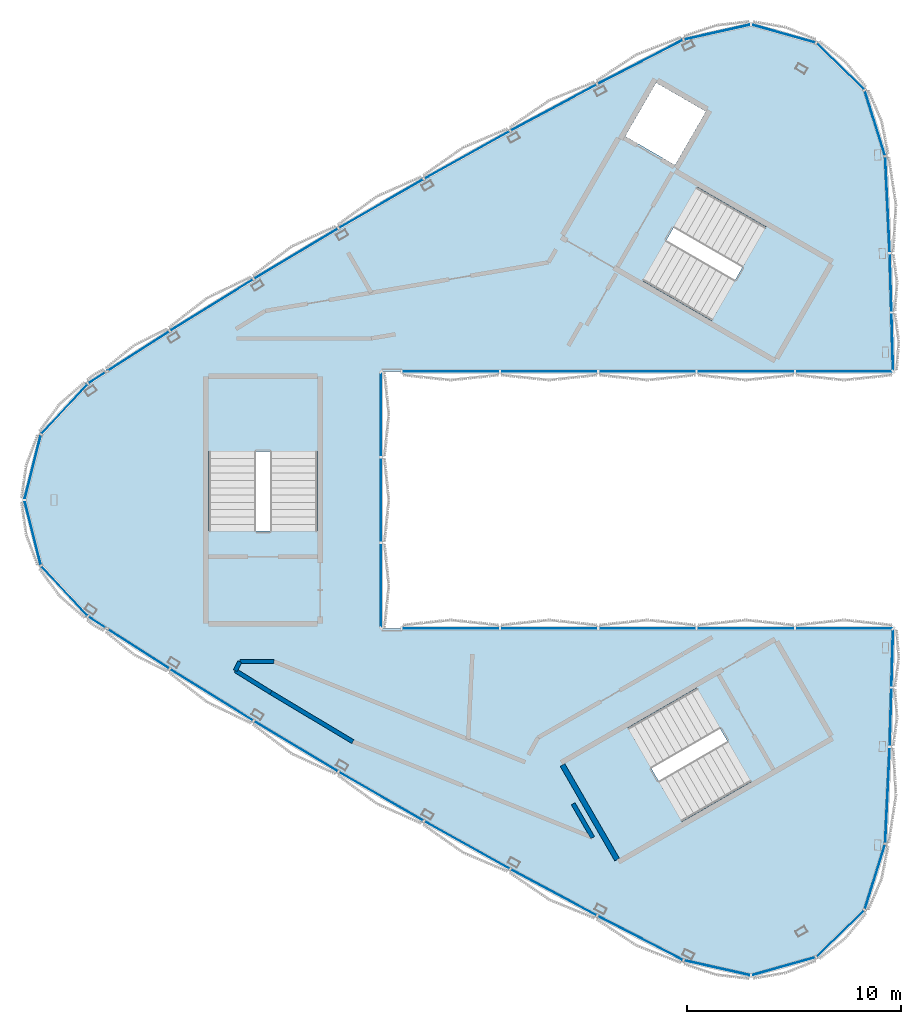
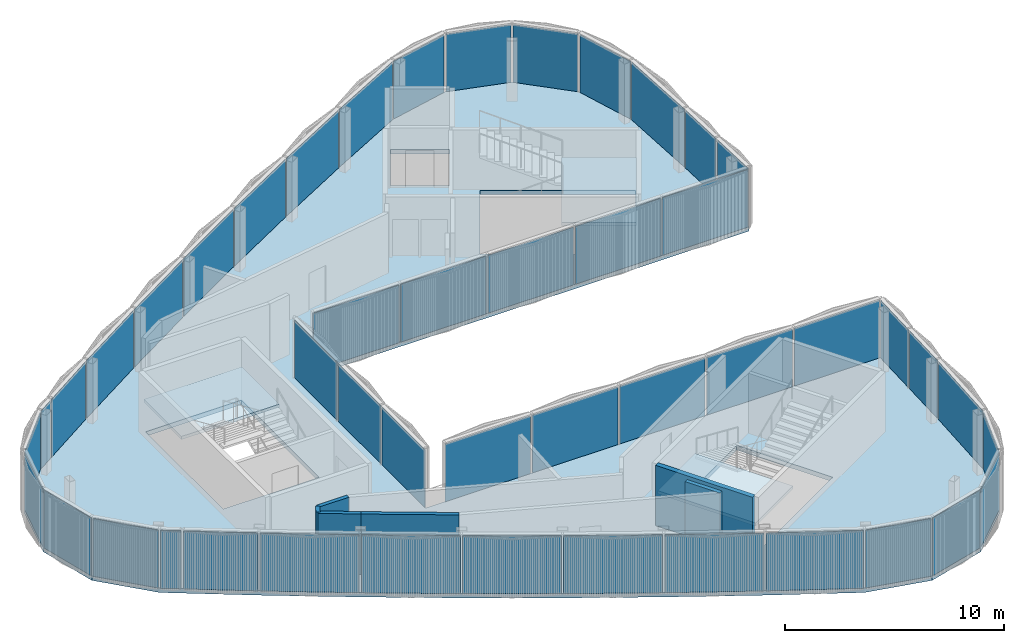
# One storey, part 5 of 16: 47 plates, 6 walls, 4 slabs, 6 elements without a shape of their own.
"""IFC4 building model written with IfcOpenShell, lengths in metres."""

from ifc_helpers import new_model, si_unit, direction, frame, frame_2d, origin, origin_2d, place, context, subcontext, project, spatial, polyline, rectangle, outline, extrude, material, layer, layer_set, type_object, element, aggregate, save


model = new_model("IFC4")

# Units and contexts
model_context = context("Model", 3, precision=1e-05, world=origin(), true_north=direction((0.0, 1.0)))
body_context = subcontext(model_context, "Body", "Model", "MODEL_VIEW")
ifc_project = project(units=[si_unit("LENGTHUNIT", "METRE"), si_unit("AREAUNIT", "SQUARE_METRE"), si_unit("VOLUMEUNIT", "CUBIC_METRE"), si_unit("PLANEANGLEUNIT", "RADIAN"), si_unit("MASSUNIT", "GRAM", prefix="KILO")], contexts=[model_context])

# Site, building, storey
site_placement = place(None, origin())
site = spatial("IfcSite", under=ifc_project, at=site_placement, CompositionType="ELEMENT")
building_placement = place(site_placement, origin())
building = spatial("IfcBuilding", under=site, at=building_placement, Name="Tamra Quay Hotel Tower", CompositionType="ELEMENT")
storey_placement = place(building_placement, frame((0.0, 0.0, 324.199951171875)))
storey = spatial("IfcBuildingStorey", under=building, at=storey_placement, Name="Roof crown 2", CompositionType="ELEMENT", Elevation=324.199951171875)

# Stair, slab
ifc_material_1 = material(Name="Exit stair 2200 24 risers 150.0 going 342")
stair_type = type_object("IfcStairType", Name="Exit stair 2200 24 risers 150.0 going 342", PredefinedType="HALF_TURN_STAIR", material=ifc_material_1)
stair_1_placement = place(storey_placement, origin())
stair_1 = element("IfcStair", 1, at=stair_1_placement, inside=storey, type_object=stair_type, Name="Roof crown 2 Exit stair ST3", PredefinedType="HALF_TURN_STAIR")
ifc_material_2 = material(Name="Concrete M70", Category="concrete")
ifc_layer_1 = layer(ifc_material_2, 0.175048828125)
ifc_layer_set_1 = layer_set([ifc_layer_1], Name="Concrete M70 stair landing 180")
slab_type_1 = type_object("IfcSlabType", Name="Concrete M70 stair landing 180", PredefinedType="LANDING", material=ifc_layer_set_1)
slab_1_placement = place(storey_placement, frame((0.0, 0.0, 1.625)))
slab_1 = element("IfcSlab", 2, at=slab_1_placement, type_object=slab_type_1, Name="ST3 landing 1", PredefinedType="LANDING", context=body_context, shape_type="SweptSolid", body=[
    extrude(outline(polyline([(-10.932373046875, 2.261962890625), (-10.932373046875, 5.679931640625), (-16.09130859375, 5.679931640625), (-16.09130859375, 2.261962890625), (-10.932373046875, 2.261962890625)])), origin(), (0.0, 0.0, 1.0), 0.175048828125),
])
aggregate(stair_1, [slab_1])

stair_2_placement = place(storey_placement, origin())
stair_2 = element("IfcStair", 3, at=stair_2_placement, inside=storey, type_object=stair_type, Name="Roof crown 2 Exit stair ST1", PredefinedType="HALF_TURN_STAIR")
slab_2_placement = place(storey_placement, frame((0.0, 0.0, 1.625)))
slab_2 = element("IfcSlab", 4, at=slab_2_placement, type_object=slab_type_1, Name="ST1 landing 1", PredefinedType="LANDING", context=body_context, shape_type="SweptSolid", body=[
    extrude(outline(polyline([(7.425048828125, 8.336669921875), (10.385009765625, 6.627685546875), (12.964599609375, 11.095458984375), (10.00439453125, 12.804443359375), (7.425048828125, 8.336669921875)])), origin(), (0.0, 0.0, 1.0), 0.175048828125),
])
aggregate(stair_2, [slab_2])

stair_3_placement = place(storey_placement, origin())
stair_3 = element("IfcStair", 5, at=stair_3_placement, inside=storey, type_object=stair_type, Name="Roof crown 2 Exit stair ST2", PredefinedType="HALF_TURN_STAIR")
slab_3_placement = place(storey_placement, frame((0.0, 0.0, 1.625)))
slab_3 = element("IfcSlab", 6, at=slab_3_placement, type_object=slab_type_1, Name="ST2 landing 1", PredefinedType="LANDING", context=body_context, shape_type="SweptSolid", body=[
    extrude(outline(polyline([(3.50732421875, -10.5986328125), (0.547119140625, -12.3076171875), (3.126708984375, -16.775390625), (6.086669921875, -15.06640625), (3.50732421875, -10.5986328125)])), origin(), (0.0, 0.0, 1.0), 0.175048828125),
])
aggregate(stair_3, [slab_3])

# Slab
ifc_material_3 = material(Name="Concrete M60", Category="concrete")
ifc_layer_2 = layer(ifc_material_3, 0.25)
ifc_layer_set_2 = layer_set([ifc_layer_2], Name="FLOOR SLAB PT 250")
slab_type_2 = type_object("IfcSlabType", Name="FLOOR SLAB PT 250", PredefinedType="FLOOR", material=ifc_layer_set_2)
slab_4_placement = place(storey_placement, frame((0.0, 0.0, -0.25)))
element("IfcSlab", 7, at=slab_4_placement, inside=storey, type_object=slab_type_2, Name="SLAB-Roofcrown2", PredefinedType="FLOOR", context=body_context, shape_type="SweptSolid", body=[
    extrude(outline(polyline([(15.555419921875, -16.063720703125), (14.5908203125, -19.149169921875), (12.3271484375, -21.351318359375), (9.288330078125, -22.21044921875), (6.134033203125, -21.503173828125), (2.10009765625, -19.419677734375), (-1.96435546875, -17.239501953125), (-5.99462890625, -14.995849609375), (-9.989501953125, -12.689453125), (-13.947509765625, -10.321044921875), (-17.867919921875, -7.89111328125), (-20.815673828125, -6.0), (-21.689208984375, -5.439453125), (-23.879150390625, -3.061279296875), (-24.654296875, 0.0), (-23.879150390625, 3.061279296875), (-21.689208984375, 5.439453125), (-20.815673828125, 6.0), (-17.867919921875, 7.89111328125), (-13.947509765625, 10.321044921875), (-9.989501953125, 12.689453125), (-5.99462890625, 14.995849609375), (-1.96435546875, 17.239501953125), (2.10009765625, 19.419677734375), (6.134033203125, 21.503173828125), (9.288330078125, 22.21044921875), (12.3271484375, 21.351318359375), (14.5908203125, 19.149169921875), (15.555419921875, 16.063720703125), (15.767822265625, 11.528564453125), (15.912109375, 6.91845703125), (15.926513671875, 6.0), (-8.0, 6.0), (-8.0, -6.0), (15.926513671875, -6.0), (15.912109375, -6.91845703125), (15.767822265625, -11.528564453125), (15.555419921875, -16.063720703125)]), holes=[polyline([(9.2783203125, -13.160400390625), (6.75390625, -8.78759765625), (0.622314453125, -12.32763671875), (3.146728515625, -16.7001953125), (9.2783203125, -13.160400390625)]), polyline([(-16.036376953125, -1.455078125), (-10.9873046875, -1.455078125), (-10.9873046875, 5.625), (-16.036376953125, 5.625), (-16.036376953125, -1.455078125)]), polyline([(6.758056640625, 14.615478515625), (4.2333984375, 10.242919921875), (10.364990234375, 6.702880859375), (12.889404296875, 11.075439453125), (6.758056640625, 14.615478515625)]), polyline([(4.8515625, 19.4931640625), (3.406494140625, 16.990234375), (5.736083984375, 15.645263671875), (7.18115234375, 18.148193359375), (4.8515625, 19.4931640625)])]), origin(), (0.0, 0.0, 1.0), 0.25),
])

# Curtain wall, plates
ifc_material_4 = material(Name="Aluminium 6063 anodised dark grey", Category="aluminium")
curtain_wall_type = type_object("IfcCurtainWallType", Name="CW6 CURTAIN WALL", PredefinedType="NOTDEFINED", material=ifc_material_4)
curtain_wall_1_placement = place(storey_placement, origin())
curtain_wall_1 = element("IfcCurtainWall", 8, at=curtain_wall_1_placement, inside=storey, type_object=curtain_wall_type, Name="CW6 lantern A face Roof crown 2", PredefinedType="NOTDEFINED")
ifc_material_5 = material(Name="Glass clear laminated low-iron", Category="glass")
ifc_layer_3 = layer(ifc_material_5, 0.030029296875)
ifc_layer_set_3 = layer_set([ifc_layer_3], Name="GLASS PANEL CW6")
plate_type = type_object("IfcPlateType", Name="GLASS PANEL CW6", PredefinedType="CURTAIN_PANEL", material=ifc_layer_set_3)
plate_1_placement = place(storey_placement, frame((15.66162109375, 13.796142578125, 0.0), z_axis=(0.0, 0.0, 1.0), x_axis=(-0.046821305973, 0.998903281257, 0.0)))
plate_1 = element("IfcPlate", 9, at=plate_1_placement, type_object=plate_type, Name="CW6 glass Roof crown 2.A.1", PredefinedType="CURTAIN_PANEL", context=body_context, shape_type="SweptSolid", body=[
    extrude(rectangle(XDim=4.440185546875, YDim=0.030029296875, at=origin_2d()), origin(), (0.0, 0.0, 1.0), 3.2099609375),
])
plate_2_placement = place(storey_placement, frame((15.072998046875, 17.6064453125, 0.0), z_axis=(0.0, 0.0, 1.0), x_axis=(-0.29839239288, 0.954443282689, 0.0)))
plate_2 = element("IfcPlate", 10, at=plate_2_placement, type_object=plate_type, Name="CW6 glass Roof crown 2.A.2", PredefinedType="CURTAIN_PANEL", context=body_context, shape_type="SweptSolid", body=[
    extrude(rectangle(XDim=3.132568359375, YDim=0.030029296875, at=origin_2d()), origin(), (0.0, 0.0, 1.0), 3.2099609375),
])
plate_3_placement = place(storey_placement, frame((13.458984375, 20.250244140625, 0.0), z_axis=(0.0, 0.0, 1.0), x_axis=(-0.716752699854, 0.69732744622, 0.0)))
plate_3 = element("IfcPlate", 11, at=plate_3_placement, type_object=plate_type, Name="CW6 glass Roof crown 2.A.3", PredefinedType="CURTAIN_PANEL", context=body_context, shape_type="SweptSolid", body=[
    extrude(rectangle(XDim=3.05810546875, YDim=0.030029296875, at=origin_2d()), origin(), (0.0, 0.0, 1.0), 3.2099609375),
])
plate_4_placement = place(storey_placement, frame((10.807861328125, 21.781005859375, 0.0), z_axis=(0.0, 0.0, 1.0), x_axis=(-0.96227963311, 0.272062323195, 0.0)))
plate_4 = element("IfcPlate", 12, at=plate_4_placement, type_object=plate_type, Name="CW6 glass Roof crown 2.A.4", PredefinedType="CURTAIN_PANEL", context=body_context, shape_type="SweptSolid", body=[
    extrude(rectangle(XDim=3.05810546875, YDim=0.030029296875, at=origin_2d()), origin(), (0.0, 0.0, 1.0), 3.2099609375),
])
plate_5_placement = place(storey_placement, frame((7.711181640625, 21.85693359375, 0.0), z_axis=(0.0, 0.0, 1.0), x_axis=(-0.975768325721, -0.218806248814, 0.0)))
plate_5 = element("IfcPlate", 13, at=plate_5_placement, type_object=plate_type, Name="CW6 glass Roof crown 2.A.5", PredefinedType="CURTAIN_PANEL", context=body_context, shape_type="SweptSolid", body=[
    extrude(rectangle(XDim=3.132568359375, YDim=0.030029296875, at=origin_2d()), origin(), (0.0, 0.0, 1.0), 3.2099609375),
])
plate_6_placement = place(storey_placement, frame((4.116943359375, 20.46142578125, 0.0), z_axis=(0.0, 0.0, 1.0), x_axis=(-0.888486270479, -0.458903200218, 0.0)))
plate_6 = element("IfcPlate", 14, at=plate_6_placement, type_object=plate_type, Name="CW6 glass Roof crown 2.A.6", PredefinedType="CURTAIN_PANEL", context=body_context, shape_type="SweptSolid", body=[
    extrude(rectangle(XDim=4.440185546875, YDim=0.030029296875, at=origin_2d()), origin(), (0.0, 0.0, 1.0), 3.2099609375),
])
plate_7_placement = place(storey_placement, frame((0.06787109375, 18.32958984375, 0.0), z_axis=(0.0, 0.0, 1.0), x_axis=(-0.881223582111, -0.472699691486, 0.0)))
plate_7 = element("IfcPlate", 15, at=plate_7_placement, type_object=plate_type, Name="CW6 glass Roof crown 2.A.7", PredefinedType="CURTAIN_PANEL", context=body_context, shape_type="SweptSolid", body=[
    extrude(rectangle(XDim=4.51220703125, YDim=0.030029296875, at=origin_2d()), origin(), (0.0, 0.0, 1.0), 3.2099609375),
])
plate_8_placement = place(storey_placement, frame((-3.9794921875, 16.11767578125, 0.0), z_axis=(0.0, 0.0, 1.0), x_axis=(-0.873735522847, -0.486401311794, 0.0)))
plate_8 = element("IfcPlate", 16, at=plate_8_placement, type_object=plate_type, Name="CW6 glass Roof crown 2.A.8", PredefinedType="CURTAIN_PANEL", context=body_context, shape_type="SweptSolid", body=[
    extrude(rectangle(XDim=4.5126953125, YDim=0.030029296875, at=origin_2d()), origin(), (0.0, 0.0, 1.0), 3.2099609375),
])
plate_9_placement = place(storey_placement, frame((-7.991943359375, 13.842529296875, 0.0), z_axis=(0.0, 0.0, 1.0), x_axis=(-0.866025403784, -0.5, 0.0)))
plate_9 = element("IfcPlate", 17, at=plate_9_placement, type_object=plate_type, Name="CW6 glass Roof crown 2.A.9", PredefinedType="CURTAIN_PANEL", context=body_context, shape_type="SweptSolid", body=[
    extrude(rectangle(XDim=4.5126953125, YDim=0.030029296875, at=origin_2d()), origin(), (0.0, 0.0, 1.0), 3.2099609375),
])
plate_10_placement = place(storey_placement, frame((-11.968505859375, 11.505126953125, 0.0), z_axis=(0.0, 0.0, 1.0), x_axis=(-0.858103653871, -0.513476503078, 0.0)))
plate_10 = element("IfcPlate", 18, at=plate_10_placement, type_object=plate_type, Name="CW6 glass Roof crown 2.A.10", PredefinedType="CURTAIN_PANEL", context=body_context, shape_type="SweptSolid", body=[
    extrude(rectangle(XDim=4.5126953125, YDim=0.030029296875, at=origin_2d()), origin(), (0.0, 0.0, 1.0), 3.2099609375),
])
plate_11_placement = place(storey_placement, frame((-15.90771484375, 9.10595703125, 0.0), z_axis=(0.0, 0.0, 1.0), x_axis=(-0.849981732244, -0.526812162779, 0.0)))
plate_11 = element("IfcPlate", 19, at=plate_11_placement, type_object=plate_type, Name="CW6 glass Roof crown 2.A.11", PredefinedType="CURTAIN_PANEL", context=body_context, shape_type="SweptSolid", body=[
    extrude(rectangle(XDim=4.51220703125, YDim=0.030029296875, at=origin_2d()), origin(), (0.0, 0.0, 1.0), 3.2099609375),
])
plate_12_placement = place(storey_placement, frame((-19.341796875, 6.945556640625, 0.0), z_axis=(0.0, 0.0, 1.0), x_axis=(-0.841664964506, -0.54000008104, 0.0)))
plate_12 = element("IfcPlate", 20, at=plate_12_placement, type_object=plate_type, Name="CW6 glass Roof crown 2.A.12", PredefinedType="CURTAIN_PANEL", context=body_context, shape_type="SweptSolid", body=[
    extrude(rectangle(XDim=3.402099609375, YDim=0.030029296875, at=origin_2d()), origin(), (0.0, 0.0, 1.0), 3.2099609375),
])
plate_13_placement = place(storey_placement, frame((-4.740966796875, 6.0, 0.0), z_axis=(0.0, 0.0, 1.0), x_axis=(1.0, 0.0, 0.0)))
plate_13 = element("IfcPlate", 21, at=plate_13_placement, type_object=plate_type, Name="CW6 glass Roof crown 2.A.13", PredefinedType="CURTAIN_PANEL", context=body_context, shape_type="SweptSolid", body=[
    extrude(rectangle(XDim=4.49267578125, YDim=0.030029296875, at=origin_2d()), origin(), (0.0, 0.0, 1.0), 3.2099609375),
])
plate_14_placement = place(storey_placement, frame((-0.148193359375, 6.0, 0.0), z_axis=(0.0, 0.0, 1.0), x_axis=(1.0, 0.0, 0.0)))
plate_14 = element("IfcPlate", 22, at=plate_14_placement, type_object=plate_type, Name="CW6 glass Roof crown 2.A.14", PredefinedType="CURTAIN_PANEL", context=body_context, shape_type="SweptSolid", body=[
    extrude(rectangle(XDim=4.49267578125, YDim=0.030029296875, at=origin_2d()), origin(), (0.0, 0.0, 1.0), 3.2099609375),
])
plate_15_placement = place(storey_placement, frame((4.444580078125, 6.0, 0.0), z_axis=(0.0, 0.0, 1.0), x_axis=(1.0, 0.0, 0.0)))
plate_15 = element("IfcPlate", 23, at=plate_15_placement, type_object=plate_type, Name="CW6 glass Roof crown 2.A.15", PredefinedType="CURTAIN_PANEL", context=body_context, shape_type="SweptSolid", body=[
    extrude(rectangle(XDim=4.49267578125, YDim=0.030029296875, at=origin_2d()), origin(), (0.0, 0.0, 1.0), 3.2099609375),
])
plate_16_placement = place(storey_placement, frame((9.037353515625, 6.0, 0.0), z_axis=(0.0, 0.0, 1.0), x_axis=(1.0, 0.0, 0.0)))
plate_16 = element("IfcPlate", 24, at=plate_16_placement, type_object=plate_type, Name="CW6 glass Roof crown 2.A.16", PredefinedType="CURTAIN_PANEL", context=body_context, shape_type="SweptSolid", body=[
    extrude(rectangle(XDim=4.49267578125, YDim=0.030029296875, at=origin_2d()), origin(), (0.0, 0.0, 1.0), 3.2099609375),
])
plate_17_placement = place(storey_placement, frame((13.6298828125, 6.0, 0.0), z_axis=(0.0, 0.0, 1.0), x_axis=(1.0, 0.0, 0.0)))
plate_17 = element("IfcPlate", 25, at=plate_17_placement, type_object=plate_type, Name="CW6 glass Roof crown 2.A.17", PredefinedType="CURTAIN_PANEL", context=body_context, shape_type="SweptSolid", body=[
    extrude(rectangle(XDim=4.49267578125, YDim=0.030029296875, at=origin_2d()), origin(), (0.0, 0.0, 1.0), 3.2099609375),
])
plate_18_placement = place(storey_placement, frame((15.88671875, 7.382080078125, 0.0), z_axis=(0.0, 0.0, 1.0), x_axis=(-0.028649831581, 0.999589509324, 0.0)))
plate_18 = element("IfcPlate", 26, at=plate_18_placement, type_object=plate_type, Name="CW6 glass Roof crown 2.A.18", PredefinedType="CURTAIN_PANEL", context=body_context, shape_type="SweptSolid", body=[
    extrude(rectangle(XDim=2.665283203125, YDim=0.030029296875, at=origin_2d()), origin(), (0.0, 0.0, 1.0), 3.2099609375),
])
plate_19_placement = place(storey_placement, frame((15.8076171875, 10.146484375, 0.0), z_axis=(0.0, 0.0, 1.0), x_axis=(-0.028649831581, 0.999589509324, 0.0)))
plate_19 = element("IfcPlate", 27, at=plate_19_placement, type_object=plate_type, Name="CW6 glass Roof crown 2.A.19", PredefinedType="CURTAIN_PANEL", context=body_context, shape_type="SweptSolid", body=[
    extrude(rectangle(XDim=2.665283203125, YDim=0.030029296875, at=origin_2d()), origin(), (0.0, 0.0, 1.0), 3.2099609375),
])
aggregate(curtain_wall_1, [plate_1, plate_2, plate_3, plate_4, plate_5, plate_6, plate_7, plate_8, plate_9, plate_10, plate_11, plate_12, plate_13, plate_14, plate_15, plate_16, plate_17, plate_18, plate_19])

curtain_wall_2_placement = place(storey_placement, origin())
curtain_wall_2 = element("IfcCurtainWall", 28, at=curtain_wall_2_placement, inside=storey, type_object=curtain_wall_type, Name="CW6 lantern B face Roof crown 2", PredefinedType="NOTDEFINED")
plate_20_placement = place(storey_placement, frame((13.6298828125, -6.0, 0.0), z_axis=(0.0, 0.0, 1.0), x_axis=(-1.0, 0.0, 0.0)))
plate_20 = element("IfcPlate", 29, at=plate_20_placement, type_object=plate_type, Name="CW6 glass Roof crown 2.B.1", PredefinedType="CURTAIN_PANEL", context=body_context, shape_type="SweptSolid", body=[
    extrude(rectangle(XDim=4.49267578125, YDim=0.030029296875, at=origin_2d()), origin(), (0.0, 0.0, 1.0), 3.2099609375),
])
plate_21_placement = place(storey_placement, frame((9.037353515625, -6.0, 0.0), z_axis=(0.0, 0.0, 1.0), x_axis=(-1.0, 0.0, 0.0)))
plate_21 = element("IfcPlate", 30, at=plate_21_placement, type_object=plate_type, Name="CW6 glass Roof crown 2.B.2", PredefinedType="CURTAIN_PANEL", context=body_context, shape_type="SweptSolid", body=[
    extrude(rectangle(XDim=4.49267578125, YDim=0.030029296875, at=origin_2d()), origin(), (0.0, 0.0, 1.0), 3.2099609375),
])
plate_22_placement = place(storey_placement, frame((4.444580078125, -6.0, 0.0), z_axis=(0.0, 0.0, 1.0), x_axis=(-1.0, 0.0, 0.0)))
plate_22 = element("IfcPlate", 31, at=plate_22_placement, type_object=plate_type, Name="CW6 glass Roof crown 2.B.3", PredefinedType="CURTAIN_PANEL", context=body_context, shape_type="SweptSolid", body=[
    extrude(rectangle(XDim=4.49267578125, YDim=0.030029296875, at=origin_2d()), origin(), (0.0, 0.0, 1.0), 3.2099609375),
])
plate_23_placement = place(storey_placement, frame((-0.148193359375, -6.0, 0.0), z_axis=(0.0, 0.0, 1.0), x_axis=(-1.0, 0.0, 0.0)))
plate_23 = element("IfcPlate", 32, at=plate_23_placement, type_object=plate_type, Name="CW6 glass Roof crown 2.B.4", PredefinedType="CURTAIN_PANEL", context=body_context, shape_type="SweptSolid", body=[
    extrude(rectangle(XDim=4.49267578125, YDim=0.030029296875, at=origin_2d()), origin(), (0.0, 0.0, 1.0), 3.2099609375),
])
plate_24_placement = place(storey_placement, frame((-4.740966796875, -6.0, 0.0), z_axis=(0.0, 0.0, 1.0), x_axis=(-1.0, 0.0, 0.0)))
plate_24 = element("IfcPlate", 33, at=plate_24_placement, type_object=plate_type, Name="CW6 glass Roof crown 2.B.5", PredefinedType="CURTAIN_PANEL", context=body_context, shape_type="SweptSolid", body=[
    extrude(rectangle(XDim=4.49267578125, YDim=0.030029296875, at=origin_2d()), origin(), (0.0, 0.0, 1.0), 3.2099609375),
])
plate_25_placement = place(storey_placement, frame((-19.341796875, -6.945556640625, 0.0), z_axis=(0.0, 0.0, 1.0), x_axis=(0.841664964506, -0.54000008104, 0.0)))
plate_25 = element("IfcPlate", 34, at=plate_25_placement, type_object=plate_type, Name="CW6 glass Roof crown 2.B.6", PredefinedType="CURTAIN_PANEL", context=body_context, shape_type="SweptSolid", body=[
    extrude(rectangle(XDim=3.402099609375, YDim=0.030029296875, at=origin_2d()), origin(), (0.0, 0.0, 1.0), 3.2099609375),
])
plate_26_placement = place(storey_placement, frame((-15.90771484375, -9.10595703125, 0.0), z_axis=(0.0, 0.0, 1.0), x_axis=(0.849981732244, -0.526812162779, 0.0)))
plate_26 = element("IfcPlate", 35, at=plate_26_placement, type_object=plate_type, Name="CW6 glass Roof crown 2.B.7", PredefinedType="CURTAIN_PANEL", context=body_context, shape_type="SweptSolid", body=[
    extrude(rectangle(XDim=4.51220703125, YDim=0.030029296875, at=origin_2d()), origin(), (0.0, 0.0, 1.0), 3.2099609375),
])
plate_27_placement = place(storey_placement, frame((-11.968505859375, -11.505126953125, 0.0), z_axis=(0.0, 0.0, 1.0), x_axis=(0.858103653871, -0.513476503078, 0.0)))
plate_27 = element("IfcPlate", 36, at=plate_27_placement, type_object=plate_type, Name="CW6 glass Roof crown 2.B.8", PredefinedType="CURTAIN_PANEL", context=body_context, shape_type="SweptSolid", body=[
    extrude(rectangle(XDim=4.5126953125, YDim=0.030029296875, at=origin_2d()), origin(), (0.0, 0.0, 1.0), 3.2099609375),
])
plate_28_placement = place(storey_placement, frame((-7.991943359375, -13.842529296875, 0.0), z_axis=(0.0, 0.0, 1.0), x_axis=(0.866025403784, -0.5, 0.0)))
plate_28 = element("IfcPlate", 37, at=plate_28_placement, type_object=plate_type, Name="CW6 glass Roof crown 2.B.9", PredefinedType="CURTAIN_PANEL", context=body_context, shape_type="SweptSolid", body=[
    extrude(rectangle(XDim=4.5126953125, YDim=0.030029296875, at=origin_2d()), origin(), (0.0, 0.0, 1.0), 3.2099609375),
])
plate_29_placement = place(storey_placement, frame((-3.9794921875, -16.11767578125, 0.0), z_axis=(0.0, 0.0, 1.0), x_axis=(0.873735522847, -0.486401311794, 0.0)))
plate_29 = element("IfcPlate", 38, at=plate_29_placement, type_object=plate_type, Name="CW6 glass Roof crown 2.B.10", PredefinedType="CURTAIN_PANEL", context=body_context, shape_type="SweptSolid", body=[
    extrude(rectangle(XDim=4.5126953125, YDim=0.030029296875, at=origin_2d()), origin(), (0.0, 0.0, 1.0), 3.2099609375),
])
plate_30_placement = place(storey_placement, frame((0.06787109375, -18.32958984375, 0.0), z_axis=(0.0, 0.0, 1.0), x_axis=(0.881223582111, -0.472699691486, 0.0)))
plate_30 = element("IfcPlate", 39, at=plate_30_placement, type_object=plate_type, Name="CW6 glass Roof crown 2.B.11", PredefinedType="CURTAIN_PANEL", context=body_context, shape_type="SweptSolid", body=[
    extrude(rectangle(XDim=4.51220703125, YDim=0.030029296875, at=origin_2d()), origin(), (0.0, 0.0, 1.0), 3.2099609375),
])
plate_31_placement = place(storey_placement, frame((4.116943359375, -20.46142578125, 0.0), z_axis=(0.0, 0.0, 1.0), x_axis=(0.888486270479, -0.458903200218, 0.0)))
plate_31 = element("IfcPlate", 40, at=plate_31_placement, type_object=plate_type, Name="CW6 glass Roof crown 2.B.12", PredefinedType="CURTAIN_PANEL", context=body_context, shape_type="SweptSolid", body=[
    extrude(rectangle(XDim=4.440185546875, YDim=0.030029296875, at=origin_2d()), origin(), (0.0, 0.0, 1.0), 3.2099609375),
])
plate_32_placement = place(storey_placement, frame((7.711181640625, -21.85693359375, 0.0), z_axis=(0.0, 0.0, 1.0), x_axis=(0.975768325721, -0.218806248814, 0.0)))
plate_32 = element("IfcPlate", 41, at=plate_32_placement, type_object=plate_type, Name="CW6 glass Roof crown 2.B.13", PredefinedType="CURTAIN_PANEL", context=body_context, shape_type="SweptSolid", body=[
    extrude(rectangle(XDim=3.132568359375, YDim=0.030029296875, at=origin_2d()), origin(), (0.0, 0.0, 1.0), 3.2099609375),
])
plate_33_placement = place(storey_placement, frame((10.807861328125, -21.781005859375, 0.0), z_axis=(0.0, 0.0, 1.0), x_axis=(0.96227963311, 0.272062323195, 0.0)))
plate_33 = element("IfcPlate", 42, at=plate_33_placement, type_object=plate_type, Name="CW6 glass Roof crown 2.B.14", PredefinedType="CURTAIN_PANEL", context=body_context, shape_type="SweptSolid", body=[
    extrude(rectangle(XDim=3.05810546875, YDim=0.030029296875, at=origin_2d()), origin(), (0.0, 0.0, 1.0), 3.2099609375),
])
plate_34_placement = place(storey_placement, frame((13.458984375, -20.250244140625, 0.0), z_axis=(0.0, 0.0, 1.0), x_axis=(0.716752699854, 0.69732744622, 0.0)))
plate_34 = element("IfcPlate", 43, at=plate_34_placement, type_object=plate_type, Name="CW6 glass Roof crown 2.B.15", PredefinedType="CURTAIN_PANEL", context=body_context, shape_type="SweptSolid", body=[
    extrude(rectangle(XDim=3.05810546875, YDim=0.030029296875, at=origin_2d()), origin(), (0.0, 0.0, 1.0), 3.2099609375),
])
plate_35_placement = place(storey_placement, frame((15.072998046875, -17.6064453125, 0.0), z_axis=(0.0, 0.0, 1.0), x_axis=(0.29839239288, 0.954443282689, 0.0)))
plate_35 = element("IfcPlate", 44, at=plate_35_placement, type_object=plate_type, Name="CW6 glass Roof crown 2.B.16", PredefinedType="CURTAIN_PANEL", context=body_context, shape_type="SweptSolid", body=[
    extrude(rectangle(XDim=3.132568359375, YDim=0.030029296875, at=origin_2d()), origin(), (0.0, 0.0, 1.0), 3.2099609375),
])
plate_36_placement = place(storey_placement, frame((15.66162109375, -13.796142578125, 0.0), z_axis=(0.0, 0.0, 1.0), x_axis=(0.046821305973, 0.998903281257, 0.0)))
plate_36 = element("IfcPlate", 45, at=plate_36_placement, type_object=plate_type, Name="CW6 glass Roof crown 2.B.17", PredefinedType="CURTAIN_PANEL", context=body_context, shape_type="SweptSolid", body=[
    extrude(rectangle(XDim=4.440185546875, YDim=0.030029296875, at=origin_2d()), origin(), (0.0, 0.0, 1.0), 3.2099609375),
])
plate_37_placement = place(storey_placement, frame((15.8076171875, -10.146484375, 0.0), z_axis=(0.0, 0.0, 1.0), x_axis=(0.028649831581, 0.999589509324, 0.0)))
plate_37 = element("IfcPlate", 46, at=plate_37_placement, type_object=plate_type, Name="CW6 glass Roof crown 2.B.18", PredefinedType="CURTAIN_PANEL", context=body_context, shape_type="SweptSolid", body=[
    extrude(rectangle(XDim=2.665283203125, YDim=0.030029296875, at=origin_2d()), origin(), (0.0, 0.0, 1.0), 3.2099609375),
])
plate_38_placement = place(storey_placement, frame((15.88671875, -7.382080078125, 0.0), z_axis=(0.0, 0.0, 1.0), x_axis=(0.028649831581, 0.999589509324, 0.0)))
plate_38 = element("IfcPlate", 47, at=plate_38_placement, type_object=plate_type, Name="CW6 glass Roof crown 2.B.19", PredefinedType="CURTAIN_PANEL", context=body_context, shape_type="SweptSolid", body=[
    extrude(rectangle(XDim=2.665283203125, YDim=0.030029296875, at=origin_2d()), origin(), (0.0, 0.0, 1.0), 3.2099609375),
])
aggregate(curtain_wall_2, [plate_20, plate_21, plate_22, plate_23, plate_24, plate_25, plate_26, plate_27, plate_28, plate_29, plate_30, plate_31, plate_32, plate_33, plate_34, plate_35, plate_36, plate_37, plate_38])

curtain_wall_3_placement = place(storey_placement, origin())
curtain_wall_3 = element("IfcCurtainWall", 48, at=curtain_wall_3_placement, inside=storey, type_object=curtain_wall_type, Name="CW6 lantern C face Roof crown 2", PredefinedType="NOTDEFINED")
plate_39_placement = place(storey_placement, frame((-21.25244140625, -5.7197265625, 0.0), z_axis=(0.0, 0.0, 1.0), x_axis=(0.841664964506, -0.54000008104, 0.0)))
plate_39 = element("IfcPlate", 49, at=plate_39_placement, type_object=plate_type, Name="CW6 glass Roof crown 2.C.1", PredefinedType="CURTAIN_PANEL", context=body_context, shape_type="SweptSolid", body=[
    extrude(rectangle(XDim=0.938232421875, YDim=0.030029296875, at=origin_2d()), origin(), (0.0, 0.0, 1.0), 3.2099609375),
])
plate_40_placement = place(storey_placement, frame((-8.0, -4.0, 0.0), z_axis=(0.0, 0.0, 1.0), x_axis=(0.0, 1.0, 0.0)))
plate_40 = element("IfcPlate", 50, at=plate_40_placement, type_object=plate_type, Name="CW6 glass Roof crown 2.C.2", PredefinedType="CURTAIN_PANEL", context=body_context, shape_type="SweptSolid", body=[
    extrude(rectangle(XDim=3.89990234375, YDim=0.030029296875, at=origin_2d()), origin(), (0.0, 0.0, 1.0), 3.2099609375),
])
plate_41_placement = place(storey_placement, frame((-8.0, 0.0, 0.0), z_axis=(0.0, 0.0, 1.0), x_axis=(0.0, 1.0, 0.0)))
plate_41 = element("IfcPlate", 51, at=plate_41_placement, type_object=plate_type, Name="CW6 glass Roof crown 2.C.3", PredefinedType="CURTAIN_PANEL", context=body_context, shape_type="SweptSolid", body=[
    extrude(rectangle(XDim=3.89990234375, YDim=0.030029296875, at=origin_2d()), origin(), (0.0, 0.0, 1.0), 3.2099609375),
])
plate_42_placement = place(storey_placement, frame((-8.0, 4.0, 0.0), z_axis=(0.0, 0.0, 1.0), x_axis=(0.0, 1.0, 0.0)))
plate_42 = element("IfcPlate", 52, at=plate_42_placement, type_object=plate_type, Name="CW6 glass Roof crown 2.C.4", PredefinedType="CURTAIN_PANEL", context=body_context, shape_type="SweptSolid", body=[
    extrude(rectangle(XDim=3.89990234375, YDim=0.030029296875, at=origin_2d()), origin(), (0.0, 0.0, 1.0), 3.2099609375),
])
plate_43_placement = place(storey_placement, frame((-21.25244140625, 5.7197265625, 0.0), z_axis=(0.0, 0.0, 1.0), x_axis=(-0.841664964506, -0.54000008104, 0.0)))
plate_43 = element("IfcPlate", 53, at=plate_43_placement, type_object=plate_type, Name="CW6 glass Roof crown 2.C.5", PredefinedType="CURTAIN_PANEL", context=body_context, shape_type="SweptSolid", body=[
    extrude(rectangle(XDim=0.938232421875, YDim=0.030029296875, at=origin_2d()), origin(), (0.0, 0.0, 1.0), 3.2099609375),
])
plate_44_placement = place(storey_placement, frame((-22.7841796875, 4.25048828125, 0.0), z_axis=(0.0, 0.0, 1.0), x_axis=(-0.67737593284, -0.735637033875, 0.0)))
plate_44 = element("IfcPlate", 54, at=plate_44_placement, type_object=plate_type, Name="CW6 glass Roof crown 2.C.6", PredefinedType="CURTAIN_PANEL", context=body_context, shape_type="SweptSolid", body=[
    extrude(rectangle(XDim=3.132568359375, YDim=0.030029296875, at=origin_2d()), origin(), (0.0, 0.0, 1.0), 3.2099609375),
])
plate_45_placement = place(storey_placement, frame((-24.266845703125, 1.53076171875, 0.0), z_axis=(0.0, 0.0, 1.0), x_axis=(-0.245526933255, -0.969389769415, 0.0)))
plate_45 = element("IfcPlate", 55, at=plate_45_placement, type_object=plate_type, Name="CW6 glass Roof crown 2.C.7", PredefinedType="CURTAIN_PANEL", context=body_context, shape_type="SweptSolid", body=[
    extrude(rectangle(XDim=3.05810546875, YDim=0.030029296875, at=origin_2d()), origin(), (0.0, 0.0, 1.0), 3.2099609375),
])
plate_46_placement = place(storey_placement, frame((-24.266845703125, -1.53076171875, 0.0), z_axis=(0.0, 0.0, 1.0), x_axis=(0.245526933255, -0.969389769415, 0.0)))
plate_46 = element("IfcPlate", 56, at=plate_46_placement, type_object=plate_type, Name="CW6 glass Roof crown 2.C.8", PredefinedType="CURTAIN_PANEL", context=body_context, shape_type="SweptSolid", body=[
    extrude(rectangle(XDim=3.05810546875, YDim=0.030029296875, at=origin_2d()), origin(), (0.0, 0.0, 1.0), 3.2099609375),
])
plate_47_placement = place(storey_placement, frame((-22.7841796875, -4.25048828125, 0.0), z_axis=(0.0, 0.0, 1.0), x_axis=(0.67737593284, -0.735637033875, 0.0)))
plate_47 = element("IfcPlate", 57, at=plate_47_placement, type_object=plate_type, Name="CW6 glass Roof crown 2.C.9", PredefinedType="CURTAIN_PANEL", context=body_context, shape_type="SweptSolid", body=[
    extrude(rectangle(XDim=3.132568359375, YDim=0.030029296875, at=origin_2d()), origin(), (0.0, 0.0, 1.0), 3.2099609375),
])
aggregate(curtain_wall_3, [plate_39, plate_40, plate_41, plate_42, plate_43, plate_44, plate_45, plate_46, plate_47])

# Walls
ifc_layer_4 = layer(ifc_material_2, 0.25)
ifc_layer_set_4 = layer_set([ifc_layer_4], Name="Concrete M70 core wall 250")
wall_type_1 = type_object("IfcWallType", Name="Concrete M70 core wall 250", PredefinedType="SHEAR", material=ifc_layer_set_4)
wall_1_placement = place(storey_placement, frame((3.029541015625, -16.797607421875, 0.0), z_axis=(0.0, 0.0, 1.0), x_axis=(-0.499975258871, 0.866039687611, 0.0)))
element("IfcWall", 58, at=wall_1_placement, inside=storey, type_object=wall_type_1, Name="CW1", PredefinedType="SHEAR", context=body_context, shape_type="SweptSolid", body=[
    extrude(rectangle(XDim=5.099365234375, YDim=0.25, at=frame_2d((2.5498046875, 0.0))), origin(), (0.0, 0.0, 1.0), 3.35009765625),
])
ifc_material_6 = material(Name="Partition corridor wall")
ifc_layer_5 = layer(ifc_material_6, 0.199951171875)
ifc_layer_set_5 = layer_set([ifc_layer_5], Name="Partition corridor wall")
wall_type_2 = type_object("IfcWallType", Name="Partition corridor wall", PredefinedType="PARTITIONING", material=ifc_layer_set_5)
wall_2_placement = place(storey_placement, frame((-14.802001953125, -7.968994140625, 0.0), z_axis=(0.0, 0.0, 1.0), x_axis=(0.443876206707, 0.896088116827, 0.0)))
element("IfcWall", 59, at=wall_2_placement, inside=storey, type_object=wall_type_2, Name="W-C", PredefinedType="PARTITIONING", context=body_context, shape_type="SweptSolid", body=[
    extrude(rectangle(XDim=0.468505859375, YDim=0.199951171875, at=frame_2d((0.234375, 0.0))), origin(), (0.0, 0.0, 1.0), 3.35009765625),
])
wall_3_placement = place(storey_placement, frame((-14.802001953125, -7.968994140625, 0.0), z_axis=(0.0, 0.0, 1.0), x_axis=(0.849923964999, -0.526905355563, 0.0)))
element("IfcWall", 60, at=wall_3_placement, inside=storey, type_object=wall_type_2, Name="W-C", PredefinedType="PARTITIONING", context=body_context, shape_type="SweptSolid", body=[
    extrude(rectangle(XDim=1.953125, YDim=0.199951171875, at=frame_2d((0.9765625, 0.0))), origin(), (0.0, 0.0, 1.0), 3.35009765625),
])
wall_4_placement = place(storey_placement, frame((-14.593994140625, -7.549072265625, 0.0), z_axis=(0.0, 0.0, 1.0), x_axis=(1.0, 0.0, 0.0)))
element("IfcWall", 61, at=wall_4_placement, inside=storey, type_object=wall_type_2, Name="W-C", PredefinedType="PARTITIONING", context=body_context, shape_type="SweptSolid", body=[
    extrude(rectangle(XDim=1.591064453125, YDim=0.199951171875, at=frame_2d((0.79541015625, 0.0))), origin(), (0.0, 0.0, 1.0), 3.35009765625),
])
wall_5_placement = place(storey_placement, frame((-13.14208984375, -8.998046875, 0.0), z_axis=(0.0, 0.0, 1.0), x_axis=(0.858090798123, -0.513497986536, 0.0)))
element("IfcWall", 62, at=wall_5_placement, inside=storey, type_object=wall_type_2, Name="W-C", PredefinedType="PARTITIONING", context=body_context, shape_type="SweptSolid", body=[
    extrude(rectangle(XDim=4.46337890625, YDim=0.199951171875, at=frame_2d((2.231689453125, 0.0))), origin(), (0.0, 0.0, 1.0), 3.35009765625),
])
wall_6_placement = place(storey_placement, frame((0.97705078125, -14.18994140625, 0.0), z_axis=(0.0, 0.0, 1.0), x_axis=(0.500007989214, -0.866020791161, 0.0)))
element("IfcWall", 63, at=wall_6_placement, inside=storey, type_object=wall_type_2, Name="W-C", PredefinedType="PARTITIONING", context=body_context, shape_type="SweptSolid", body=[
    extrude(rectangle(XDim=1.82568359375, YDim=0.199951171875, at=frame_2d((0.912841796875, 0.0))), origin(), (0.0, 0.0, 1.0), 3.35009765625),
])

save(model, "model.ifc")
